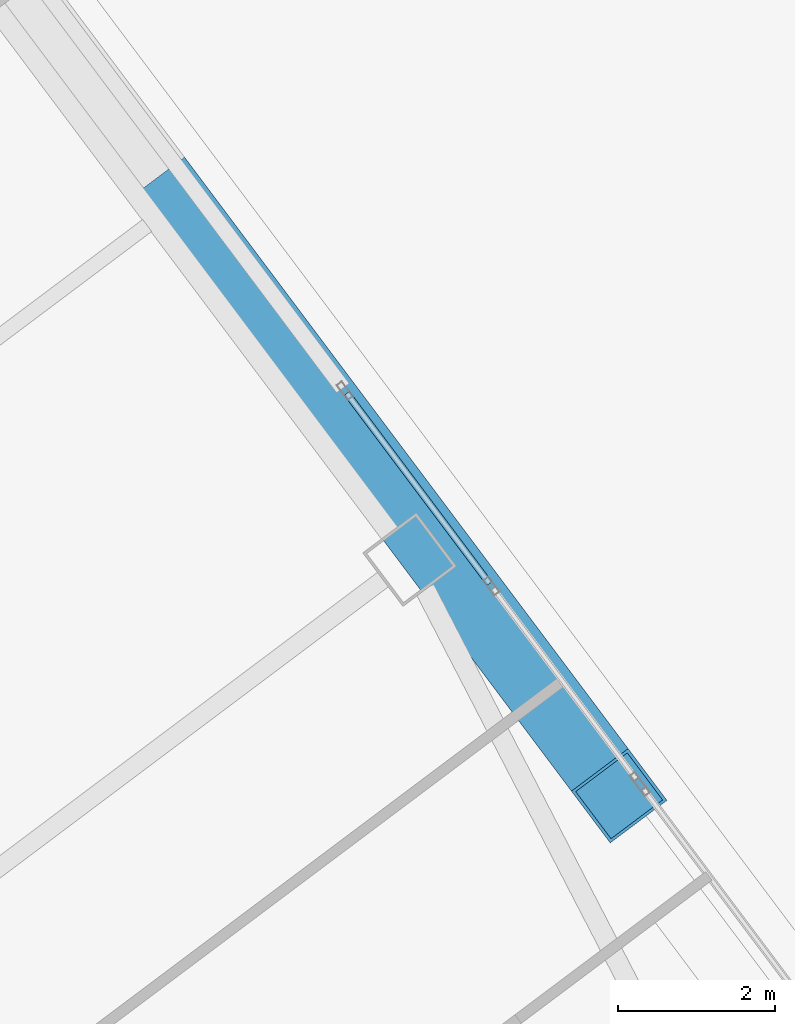
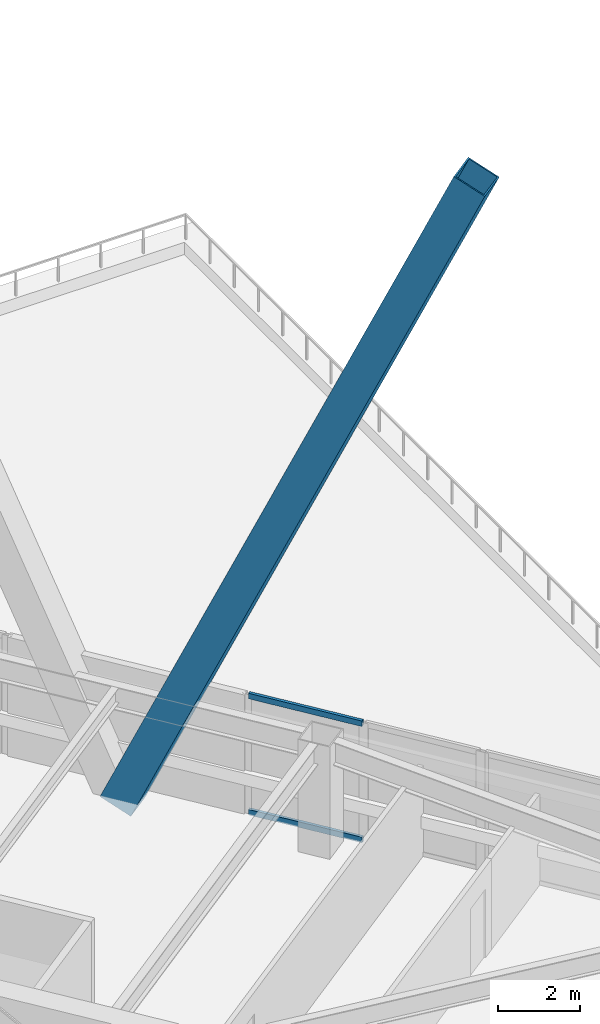
# One storey, part 64 of 83: 3 members, 1 element without a shape of its own.
"""IFC4 building model written with IfcOpenShell, lengths in metres."""

from ifc_helpers import new_model, si_unit, direction, frame, origin, origin_2d, place, context, subcontext, project, spatial, hollow_rectangle, extrude, material, material_profile, profile_set, type_object, element, aggregate, save


model = new_model("IFC4")

# Units and contexts
model_context = context("Model", 3, precision=1e-05, world=origin(), true_north=direction((0.0, 1.0)))
body_context = subcontext(model_context, "Body", "Model", "MODEL_VIEW")
ifc_project = project(units=[si_unit("LENGTHUNIT", "METRE"), si_unit("AREAUNIT", "SQUARE_METRE"), si_unit("VOLUMEUNIT", "CUBIC_METRE"), si_unit("PLANEANGLEUNIT", "RADIAN"), si_unit("MASSUNIT", "GRAM", prefix="KILO")], contexts=[model_context])

# Site, building, storey
site_placement = place(None, origin())
site = spatial("IfcSite", under=ifc_project, at=site_placement, CompositionType="ELEMENT")
building_placement = place(site_placement, origin())
building = spatial("IfcBuilding", under=site, at=building_placement, Name="Tashvorn Skyway Center", CompositionType="ELEMENT")
storey_placement = place(building_placement, frame((0.0, 0.0, 24.60009765625)))
storey = spatial("IfcBuildingStorey", under=building, at=storey_placement, Name="L05", CompositionType="ELEMENT", Elevation=24.60009765625)

# Curtain wall, members
ifc_material_1 = material(Name="Thermally broken bronze-anodized aluminium 6063-T6", Category="aluminium")
curtain_wall_type = type_object("IfcCurtainWallType", Name="CW-CW-Z1", PredefinedType="NOTDEFINED", material=ifc_material_1)
curtain_wall_placement = place(storey_placement, origin())
curtain_wall = element("IfcCurtainWall", 1, at=curtain_wall_placement, inside=storey, type_object=curtain_wall_type, Name="Tower 2 L05 East Unitised Curtain Wall Glazing Group 3", PredefinedType="NOTDEFINED")
ifc_material_profile_1 = material_profile(ifc_material_1, hollow_rectangle(XDim=0.0849609375, YDim=0.1650390625, WallThickness=0.0048828125, at=origin_2d()), Name="ALU-TRAN-85x165")
ifc_profile_set_1 = profile_set([ifc_material_profile_1], Name="Thermally broken bronze-anodized aluminium 6063-T6")
member_type_1 = type_object("IfcMemberType", Name="CWT-CW-Z1", PredefinedType="USERDEFINED", material=ifc_profile_set_1)
member_1_placement = place(storey_placement, frame((133.282958984375, 42.422607421875, 0.04248046875), z_axis=(0.600012938206, -0.799990296182, 0.0), x_axis=(0.799990296182, 0.600012938206, 0.0)))
member_1 = element("IfcMember", 2, at=member_1_placement, type_object=member_type_1, Name="CW-Z1 transom 1.1", ObjectType="TRANSOM", PredefinedType="USERDEFINED", context=body_context, shape_type="SweptSolid", body=[
    extrude(hollow_rectangle(XDim=0.0849609375, YDim=0.1650390625, WallThickness=0.0048828125, at=origin_2d()), origin(), (0.0, 0.0, 1.0), 3.01904296875),
])
member_2_placement = place(storey_placement, frame((133.282958984375, 42.422607421875, 3.50732421875), z_axis=(0.600012938206, -0.799990296182, 0.0), x_axis=(0.799990296182, 0.600012938206, 0.0)))
member_2 = element("IfcMember", 3, at=member_2_placement, type_object=member_type_1, Name="CW-Z1 transom 1.2", ObjectType="TRANSOM", PredefinedType="USERDEFINED", context=body_context, shape_type="SweptSolid", body=[
    extrude(hollow_rectangle(XDim=0.0849609375, YDim=0.1650390625, WallThickness=0.0048828125, at=origin_2d()), origin(), (0.0, 0.0, 1.0), 3.01904296875),
])
aggregate(curtain_wall, [member_1, member_2])

# Member
ifc_material_2 = material(Name="Steel ASTM A572 Grade 50", Category="steel")
ifc_material_profile_2 = material_profile(ifc_material_2, hollow_rectangle(XDim=0.89990234375, YDim=0.89990234375, WallThickness=0.0400390625, at=origin_2d()), Name="BOX900x900x40")
ifc_profile_set_2 = profile_set([ifc_material_profile_2], Name="Steel ASTM A572 Grade 50")
member_type_2 = type_object("IfcMemberType", Name="MEM-MB-900", PredefinedType="BRACE", material=ifc_profile_set_2)
member_3_placement = place(storey_placement, frame((131.10400390625, 44.827880859375, -0.22021484375), z_axis=(0.244450706831, -0.3259307485, 0.91324312158), x_axis=(0.799996883219, 0.600004155685, 0.0)))
element("IfcMember", 4, at=member_3_placement, inside=storey, type_object=member_type_2, Name="Tower 2 Zone 1 E Chevron Mega-Brace L1", PredefinedType="BRACE", context=body_context, shape_type="SweptSolid", body=[
    extrude(hollow_rectangle(XDim=0.89990234375, YDim=0.89990234375, WallThickness=0.0400390625, at=origin_2d()), origin(), (0.0, 0.0, 1.0), 23.07177734375),
])

save(model, "model.ifc")
